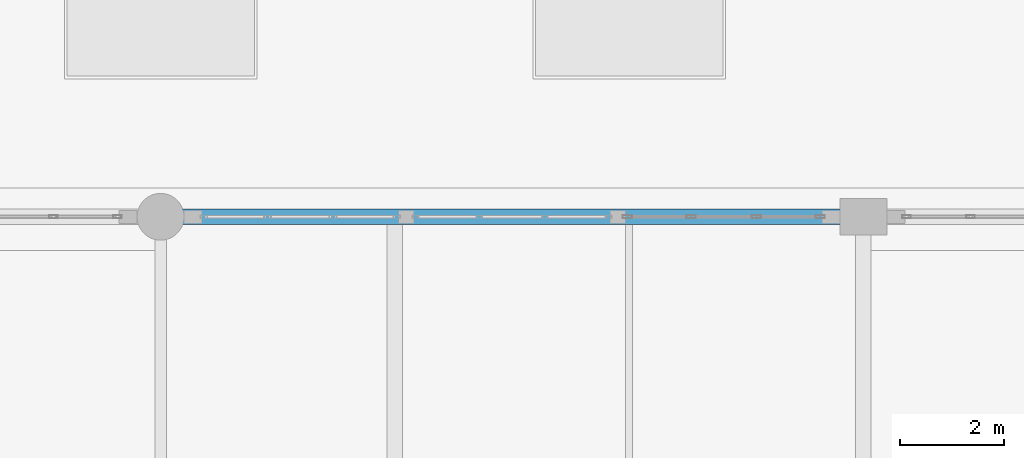
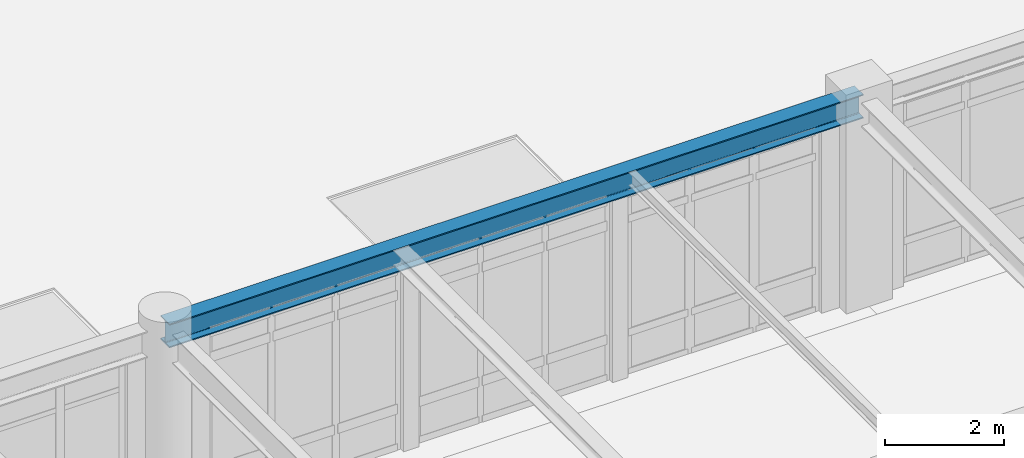
# One storey, part 26 of 55: 1 beam.
"""IFC4 building model written with IfcOpenShell, lengths in metres."""

from ifc_helpers import new_model, si_unit, direction, frame, origin, origin_2d, place, context, subcontext, project, spatial, i_section, extrude, material, material_profile, profile_set, type_object, element, save


model = new_model("IFC4")

# Units and contexts
model_context = context("Model", 3, precision=1e-05, world=origin(), true_north=direction((0.0, 1.0)))
body_context = subcontext(model_context, "Body", "Model", "MODEL_VIEW")
ifc_project = project(units=[si_unit("LENGTHUNIT", "METRE"), si_unit("AREAUNIT", "SQUARE_METRE"), si_unit("VOLUMEUNIT", "CUBIC_METRE"), si_unit("PLANEANGLEUNIT", "RADIAN"), si_unit("MASSUNIT", "GRAM", prefix="KILO")], contexts=[model_context])

# Site, building, storey
site_placement = place(None, origin())
site = spatial("IfcSite", under=ifc_project, at=site_placement, CompositionType="ELEMENT")
building_placement = place(site_placement, origin())
building = spatial("IfcBuilding", under=site, at=building_placement, Name="Fikremerkos Civic Library", CompositionType="ELEMENT")
storey_placement = place(building_placement, frame((0.0, 0.0, 18.89990234375)))
storey = spatial("IfcBuildingStorey", under=building, at=storey_placement, Name="L04", CompositionType="ELEMENT", Elevation=18.89990234375)

# Beam
ifc_material = material(Name="Steel S355", Category="steel")
ifc_material_profile = material_profile(ifc_material, i_section(OverallWidth=0.300048828125, OverallDepth=0.489990234375, WebThickness=0.011962890625, FlangeThickness=0.02294921875, FilletRadius=0.027099609375, at=origin_2d()), Name="HEA 500")
ifc_profile_set = profile_set([ifc_material_profile], Name="Steel S355")
beam_type = type_object("IfcBeamType", Name="Primary girder BM-17 HEA 500", PredefinedType="BEAM", material=ifc_profile_set)
beam_placement = place(storey_placement, frame((73.199951171875, 31.199951171875, 3.9951171875), z_axis=(1.0, 0.0, 0.0), x_axis=(0.0, 1.0, 0.0)))
element("IfcBeam", 1, at=beam_placement, inside=storey, type_object=beam_type, Name="Primary girder BM-17 L04 grid G", PredefinedType="BEAM", context=body_context, shape_type="SweptSolid", body=[
    extrude(i_section(OverallWidth=0.300048828125, OverallDepth=0.489990234375, WebThickness=0.011962890625, FlangeThickness=0.02294921875, FilletRadius=0.027099609375, at=origin_2d()), origin(), (0.0, 0.0, 1.0), 13.5),
])

save(model, "model.ifc")
